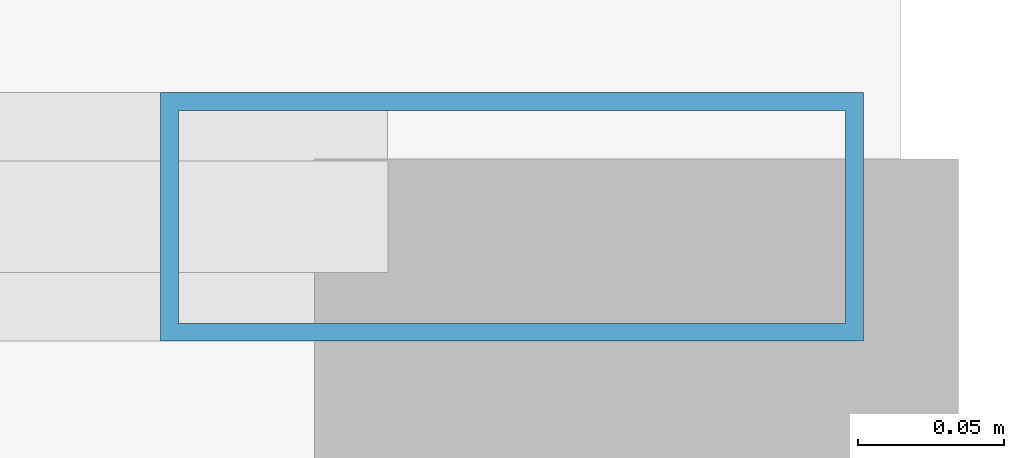
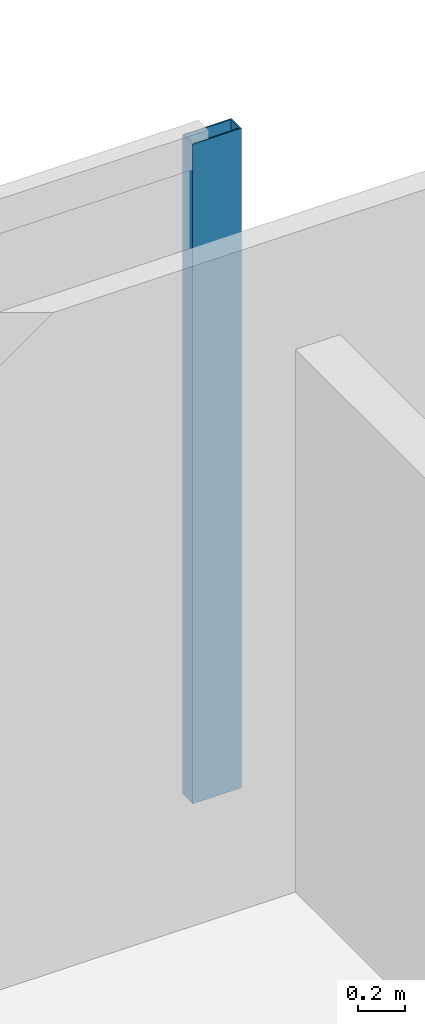
# One storey, part 24 of 32: 1 member, 1 element without a shape of its own.
"""IFC4 building model written with IfcOpenShell, lengths in metres."""

import ifcopenshell
import ifcopenshell.guid

model = None  # the IFC model being written
_history = None  # IfcOwnerHistory: only IFC2X3 demands one
_inside = {}  # id of a spatial element -> (the spatial element, [elements in it])
_under = {}  # id of a project, library or spatial element -> (it, [spatial elements below it])
_declared = {}  # id of a project -> (the project, [libraries it declares])
_typed = {}  # id of a type object -> (the type object, [elements of that type])
_made_of = {}  # id of a material, layer set ... -> (it, [elements and type objects made of it])


def new_model(schema):
    """Start an empty IFC model of exactly this schema.

    Asked for "IFC4X3", IfcOpenShell would pick the latest addendum, in which some entities
    have other attributes; the version numbers below select the first issue.
    IFC2X3 requires an IfcOwnerHistory on every rooted entity: one is made here for all.
    """
    global model, _history
    if schema == "IFC4X3":
        model = ifcopenshell.file(schema_version=(4, 3, 0, 0))
    else:
        model = ifcopenshell.file(schema=schema)
    _inside.clear()
    _under.clear()
    _declared.clear()
    _typed.clear()
    _made_of.clear()
    _history = None
    if model.schema == "IFC2X3":
        org = make("IfcOrganization", Name="unknown")
        user = make(
            "IfcPersonAndOrganization",
            ThePerson=make("IfcPerson", FamilyName="unknown"),
            TheOrganization=org,
        )
        app = make(
            "IfcApplication",
            ApplicationDeveloper=org,
            Version="unknown",
            ApplicationFullName="unknown",
            ApplicationIdentifier="unknown",
        )
        _history = make(
            "IfcOwnerHistory",
            OwningUser=user,
            OwningApplication=app,
            ChangeAction="ADDED",
            CreationDate=0,
        )
    return model


def make(cls, **values):
    """One entity of the class cls with the attributes given. An attribute that is None is left unset."""
    return model.create_entity(
        cls, **{name: value for name, value in values.items() if value is not None}
    )


def rooted(cls, **values):
    """An entity with a GlobalId (a new one), such as an element, a storey or a relation."""
    return make(cls, GlobalId=ifcopenshell.guid.new(), OwnerHistory=_history, **values)


def si_unit(unit_type, name, prefix=None):
    """IfcSIUnit, for example si_unit("LENGTHUNIT", "METRE", prefix="MILLI")."""
    return make("IfcSIUnit", UnitType=unit_type, Prefix=prefix, Name=name)


def assignment(units):
    """IfcUnitAssignment: the units of a project."""
    return None if units is None else make("IfcUnitAssignment", Units=units)


def point(xyz):
    """IfcCartesianPoint."""
    return None if xyz is None else make("IfcCartesianPoint", Coordinates=xyz)


def direction(xyz):
    """IfcDirection."""
    return None if xyz is None else make("IfcDirection", DirectionRatios=xyz)


def frame(location, z_axis=None, x_axis=None):
    """IfcAxis2Placement3D, a coordinate frame: its origin and axes. An axis left out is left unset."""
    return make(
        "IfcAxis2Placement3D",
        Location=point(location),
        Axis=direction(z_axis),
        RefDirection=direction(x_axis),
    )


def frame_2d(location, x_axis=None):
    """IfcAxis2Placement2D, a coordinate frame in the plane: its origin and x axis."""
    return make(
        "IfcAxis2Placement2D", Location=point(location), RefDirection=direction(x_axis)
    )


def origin():
    """The frame at (0, 0, 0) with its axes left unset."""
    return frame((0.0, 0.0, 0.0))


def origin_2d():
    """The frame at (0, 0) in the plane with its x axis left unset."""
    return frame_2d((0.0, 0.0))


def place(relative_to, where):
    """IfcLocalPlacement: puts the frame where relative to a parent placement (None: the world)."""
    return make(
        "IfcLocalPlacement", PlacementRelTo=relative_to, RelativePlacement=where
    )


def context(
    kind, dimensions, precision=None, world=None, true_north=None, identifier=None
):
    """IfcGeometricRepresentationContext, for example the 3D "Model" context."""
    return make(
        "IfcGeometricRepresentationContext",
        ContextIdentifier=identifier,
        ContextType=kind,
        CoordinateSpaceDimension=dimensions,
        Precision=precision,
        WorldCoordinateSystem=world,
        TrueNorth=true_north,
    )


def subcontext(parent, identifier, kind, view, scale=None):
    """IfcGeometricRepresentationSubContext, for example "Body" below "Model"."""
    return make(
        "IfcGeometricRepresentationSubContext",
        ContextIdentifier=identifier,
        ContextType=kind,
        ParentContext=parent,
        TargetScale=scale,
        TargetView=view,
    )


def project(units=None, contexts=None):
    """IfcProject with its units and contexts."""
    return rooted(
        "IfcProject",
        Name="project",
        RepresentationContexts=contexts,
        UnitsInContext=assignment(units),
    )


def spatial(cls, under=None, at=None, **own):
    """A site, building, storey or space (cls), placed at a placement, below another one or the project."""
    s = rooted(cls, ObjectPlacement=at, **own)
    if under is not None:
        _under.setdefault(under.id(), (under, []))[1].append(s)
    return s


def profile(cls, at=None, kind="AREA", **sizes):
    """A parametric profile (cls). Its sizes go by their IFC names, for example OverallWidth=200.0."""
    return make(cls, ProfileType=kind, Position=at, **sizes)


def hollow_rectangle(**sizes):
    """IfcRectangleHollowProfileDef."""
    return profile("IfcRectangleHollowProfileDef", **sizes)


def extrude(swept, where, along, depth):
    """IfcExtrudedAreaSolid: the profile swept, set in the frame where, extruded along a direction by depth."""
    return make(
        "IfcExtrudedAreaSolid",
        SweptArea=swept,
        Position=where,
        ExtrudedDirection=direction(along),
        Depth=depth,
    )


def shape(context_of_items, identifier, shape_type, items):
    """IfcShapeRepresentation: the items that make up one representation, for example the "Body"."""
    return make(
        "IfcShapeRepresentation",
        ContextOfItems=context_of_items,
        RepresentationIdentifier=identifier,
        RepresentationType=shape_type,
        Items=items,
    )


def material(Name=None, Category=None):
    """IfcMaterial."""
    return make("IfcMaterial", Name=Name, Category=Category)


def material_profile(
    of_material, cross_section, Name=None, Category=None, Priority=None
):
    """IfcMaterialProfile: a cross section and its material."""
    return make(
        "IfcMaterialProfile",
        Name=Name,
        Material=of_material,
        Profile=cross_section,
        Priority=Priority,
        Category=Category,
    )


def profile_set(profiles, Name=None, composite=None):
    """IfcMaterialProfileSet."""
    return make(
        "IfcMaterialProfileSet",
        Name=Name,
        MaterialProfiles=profiles,
        CompositeProfile=composite,
    )


def made_of(thing, what):
    """Note that an element or type object is made of a material, layer set ...; save() writes the relation."""
    if what is not None:
        _made_of.setdefault(what.id(), (what, []))[1].append(thing)
    return thing


def type_object(cls, material=None, **own):
    """A type object (cls), such as IfcWallType, which elements share."""
    return made_of(rooted(cls, **own), material)


def element(
    cls,
    number,
    at=None,
    inside=None,
    cuts=None,
    type_object=None,
    material=None,
    context=None,
    identifier="Body",
    shape_type=None,
    held_by="IfcProductDefinitionShape",
    body=None,
    shapes=None,
    **own,
):
    """One element of the class cls, such as IfcWall. Its Tag is "e" and its number.

    at: its placement. inside: the storey or other place that contains it. cuts: it is an
    opening in that element (IfcRelVoidsElement). A single representation is given by context,
    identifier, shape_type and body (its items); several are given by shapes. held_by: the class
    of the entity that holds the representations. save() writes the other relations.
    """
    e = rooted(cls, Tag="e%d" % number, ObjectPlacement=at, **own)
    if body is not None:
        shapes = [shape(context, identifier, shape_type, body)]
    if shapes is not None:
        e.Representation = make(held_by, Representations=shapes)
    if inside is not None:
        _inside.setdefault(inside.id(), (inside, []))[1].append(e)
    if cuts is not None:
        rooted(
            "IfcRelVoidsElement", RelatingBuildingElement=cuts, RelatedOpeningElement=e
        )
    if type_object is not None:
        _typed.setdefault(type_object.id(), (type_object, []))[1].append(e)
    return made_of(e, material)


def aggregate(whole, parts):
    """IfcRelAggregates: a whole, such as a stair, and the parts it consists of."""
    return rooted("IfcRelAggregates", RelatingObject=whole, RelatedObjects=parts)


def save(model, path):
    """Write the relations noted so far, then the file.

    IfcRelAggregates (storeys below a building ...), IfcRelContainedInSpatialStructure (elements
    in a storey), IfcRelDefinesByType, IfcRelAssociatesMaterial and IfcRelDeclares: one each for
    every whole, place, type object, material and project.
    """
    for whole, parts in _under.values():
        aggregate(whole, parts)
    for where, things in _inside.values():
        rooted(
            "IfcRelContainedInSpatialStructure",
            RelatedElements=things,
            RelatingStructure=where,
        )
    for kind, things in _typed.values():
        rooted("IfcRelDefinesByType", RelatedObjects=things, RelatingType=kind)
    for what, things in _made_of.values():
        rooted("IfcRelAssociatesMaterial", RelatedObjects=things, RelatingMaterial=what)
    for by, libraries in _declared.values():
        rooted("IfcRelDeclares", RelatingContext=by, RelatedDefinitions=libraries)
    model.write(path)


model = new_model("IFC4")

# Units and contexts
model_context = context("Model", 3, precision=1e-05, world=origin(), true_north=direction((0.0, 1.0)))
body_context = subcontext(model_context, "Body", "Model", "MODEL_VIEW")
ifc_project = project(units=[si_unit("LENGTHUNIT", "METRE"), si_unit("AREAUNIT", "SQUARE_METRE"), si_unit("VOLUMEUNIT", "CUBIC_METRE"), si_unit("PLANEANGLEUNIT", "RADIAN"), si_unit("MASSUNIT", "GRAM", prefix="KILO")], contexts=[model_context])

# Site, building, storey
site_placement = place(None, origin())
site = spatial("IfcSite", under=ifc_project, at=site_placement, CompositionType="ELEMENT")
building_placement = place(site_placement, origin())
building = spatial("IfcBuilding", under=site, at=building_placement, Name="Khoronbel Lancet Exchange", CompositionType="ELEMENT")
storey_placement = place(building_placement, frame((0.0, 0.0, 125.39990234375)))
storey = spatial("IfcBuildingStorey", under=building, at=storey_placement, Name="L30", CompositionType="ELEMENT", Elevation=125.39990234375)

# Curtain wall, member
ifc_material_1 = material(Name="Low-E Solar Control Insulating Glass", Category="glass")
curtain_wall_type = type_object("IfcCurtainWallType", Name="CW-2", PredefinedType="NOTDEFINED", material=ifc_material_1)
curtain_wall_placement = place(storey_placement, origin())
curtain_wall = element("IfcCurtainWall", 1, at=curtain_wall_placement, inside=storey, type_object=curtain_wall_type, Name="Unitised curtain wall CW-L30-NEFLK", PredefinedType="NOTDEFINED")
ifc_material_2 = material(Name="Bronze-Anodised Aluminium 6063-T6", Category="aluminium")
ifc_material_profile = material_profile(ifc_material_2, hollow_rectangle(XDim=0.0849609375, YDim=0.239990234375, WallThickness=0.006103515625, at=origin_2d()), Name="ALU MULLION 85x240")
ifc_profile_set = profile_set([ifc_material_profile], Name="Bronze-Anodised Aluminium 6063-T6")
member_type = type_object("IfcMemberType", Name="MEM-CWM1", PredefinedType="MULLION", material=ifc_profile_set)
member_placement = place(storey_placement, frame((65.91748046875, 53.610107421875, 0.0), z_axis=(0.0, 0.0, 1.0), x_axis=(0.0, -1.0, 0.0)))
member = element("IfcMember", 2, at=member_placement, type_object=member_type, Name="CW2 mullion 1", PredefinedType="MULLION", context=body_context, shape_type="SweptSolid", body=[
    extrude(hollow_rectangle(XDim=0.0849609375, YDim=0.239990234375, WallThickness=0.006103515625, at=origin_2d()), origin(), (0.0, 0.0, 1.0), 3.440185546875),
])
aggregate(curtain_wall, [member])

save(model, "model.ifc")
